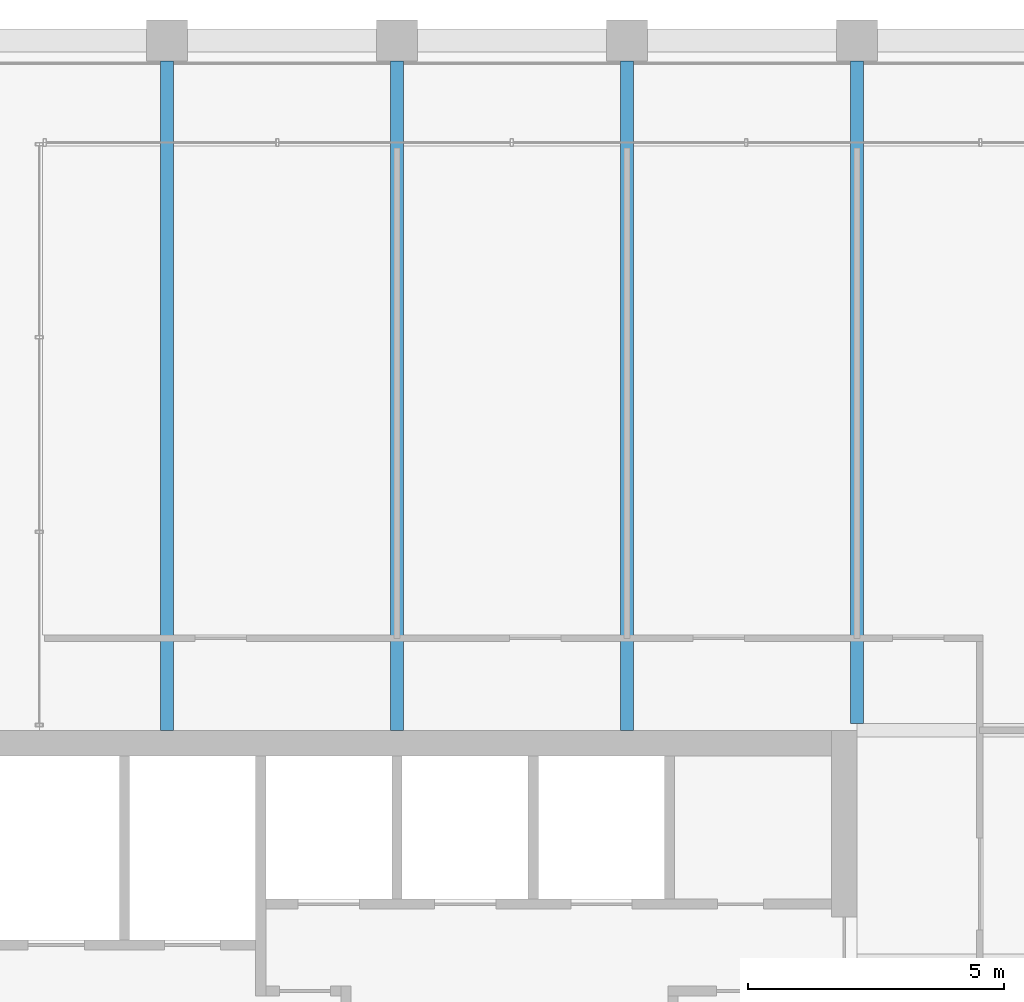
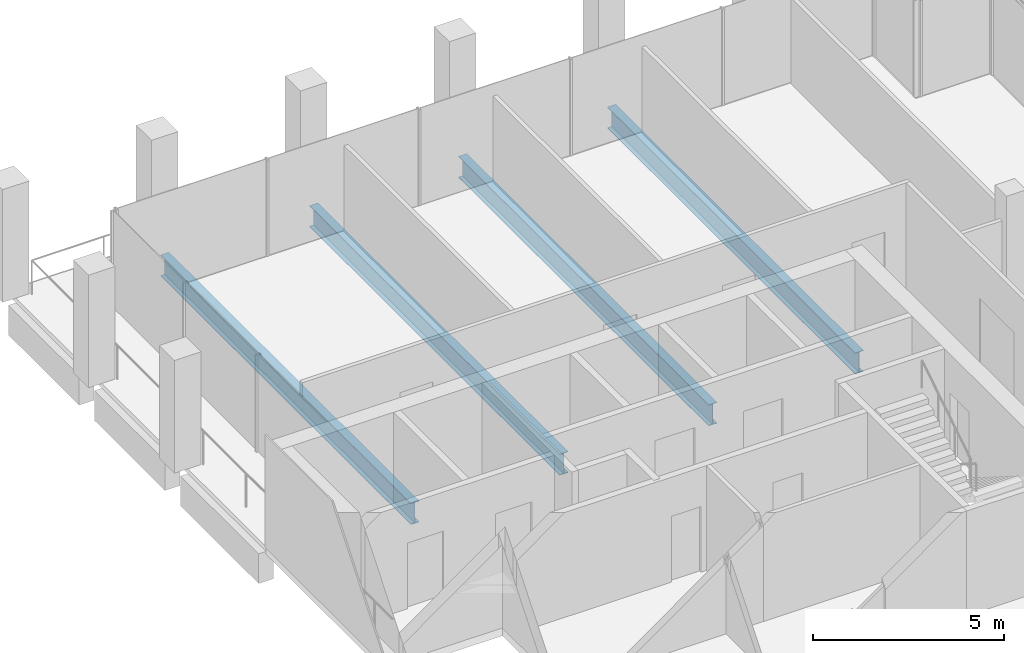
# One storey, part 22 of 30: 4 beams.
"""IFC4 building model written with IfcOpenShell, lengths in metres."""

import ifcopenshell
import ifcopenshell.guid

model = None  # the IFC model being written
_history = None  # IfcOwnerHistory: only IFC2X3 demands one
_inside = {}  # id of a spatial element -> (the spatial element, [elements in it])
_under = {}  # id of a project, library or spatial element -> (it, [spatial elements below it])
_declared = {}  # id of a project -> (the project, [libraries it declares])
_typed = {}  # id of a type object -> (the type object, [elements of that type])
_made_of = {}  # id of a material, layer set ... -> (it, [elements and type objects made of it])


def new_model(schema):
    """Start an empty IFC model of exactly this schema.

    Asked for "IFC4X3", IfcOpenShell would pick the latest addendum, in which some entities
    have other attributes; the version numbers below select the first issue.
    IFC2X3 requires an IfcOwnerHistory on every rooted entity: one is made here for all.
    """
    global model, _history
    if schema == "IFC4X3":
        model = ifcopenshell.file(schema_version=(4, 3, 0, 0))
    else:
        model = ifcopenshell.file(schema=schema)
    _inside.clear()
    _under.clear()
    _declared.clear()
    _typed.clear()
    _made_of.clear()
    _history = None
    if model.schema == "IFC2X3":
        org = make("IfcOrganization", Name="unknown")
        user = make(
            "IfcPersonAndOrganization",
            ThePerson=make("IfcPerson", FamilyName="unknown"),
            TheOrganization=org,
        )
        app = make(
            "IfcApplication",
            ApplicationDeveloper=org,
            Version="unknown",
            ApplicationFullName="unknown",
            ApplicationIdentifier="unknown",
        )
        _history = make(
            "IfcOwnerHistory",
            OwningUser=user,
            OwningApplication=app,
            ChangeAction="ADDED",
            CreationDate=0,
        )
    return model


def make(cls, **values):
    """One entity of the class cls with the attributes given. An attribute that is None is left unset."""
    return model.create_entity(
        cls, **{name: value for name, value in values.items() if value is not None}
    )


def rooted(cls, **values):
    """An entity with a GlobalId (a new one), such as an element, a storey or a relation."""
    return make(cls, GlobalId=ifcopenshell.guid.new(), OwnerHistory=_history, **values)


def si_unit(unit_type, name, prefix=None):
    """IfcSIUnit, for example si_unit("LENGTHUNIT", "METRE", prefix="MILLI")."""
    return make("IfcSIUnit", UnitType=unit_type, Prefix=prefix, Name=name)


def assignment(units):
    """IfcUnitAssignment: the units of a project."""
    return None if units is None else make("IfcUnitAssignment", Units=units)


def point(xyz):
    """IfcCartesianPoint."""
    return None if xyz is None else make("IfcCartesianPoint", Coordinates=xyz)


def direction(xyz):
    """IfcDirection."""
    return None if xyz is None else make("IfcDirection", DirectionRatios=xyz)


def frame(location, z_axis=None, x_axis=None):
    """IfcAxis2Placement3D, a coordinate frame: its origin and axes. An axis left out is left unset."""
    return make(
        "IfcAxis2Placement3D",
        Location=point(location),
        Axis=direction(z_axis),
        RefDirection=direction(x_axis),
    )


def frame_2d(location, x_axis=None):
    """IfcAxis2Placement2D, a coordinate frame in the plane: its origin and x axis."""
    return make(
        "IfcAxis2Placement2D", Location=point(location), RefDirection=direction(x_axis)
    )


def origin():
    """The frame at (0, 0, 0) with its axes left unset."""
    return frame((0.0, 0.0, 0.0))


def origin_2d():
    """The frame at (0, 0) in the plane with its x axis left unset."""
    return frame_2d((0.0, 0.0))


def place(relative_to, where):
    """IfcLocalPlacement: puts the frame where relative to a parent placement (None: the world)."""
    return make(
        "IfcLocalPlacement", PlacementRelTo=relative_to, RelativePlacement=where
    )


def context(
    kind, dimensions, precision=None, world=None, true_north=None, identifier=None
):
    """IfcGeometricRepresentationContext, for example the 3D "Model" context."""
    return make(
        "IfcGeometricRepresentationContext",
        ContextIdentifier=identifier,
        ContextType=kind,
        CoordinateSpaceDimension=dimensions,
        Precision=precision,
        WorldCoordinateSystem=world,
        TrueNorth=true_north,
    )


def subcontext(parent, identifier, kind, view, scale=None):
    """IfcGeometricRepresentationSubContext, for example "Body" below "Model"."""
    return make(
        "IfcGeometricRepresentationSubContext",
        ContextIdentifier=identifier,
        ContextType=kind,
        ParentContext=parent,
        TargetScale=scale,
        TargetView=view,
    )


def project(units=None, contexts=None):
    """IfcProject with its units and contexts."""
    return rooted(
        "IfcProject",
        Name="project",
        RepresentationContexts=contexts,
        UnitsInContext=assignment(units),
    )


def spatial(cls, under=None, at=None, **own):
    """A site, building, storey or space (cls), placed at a placement, below another one or the project."""
    s = rooted(cls, ObjectPlacement=at, **own)
    if under is not None:
        _under.setdefault(under.id(), (under, []))[1].append(s)
    return s


def profile(cls, at=None, kind="AREA", **sizes):
    """A parametric profile (cls). Its sizes go by their IFC names, for example OverallWidth=200.0."""
    return make(cls, ProfileType=kind, Position=at, **sizes)


def i_section(**sizes):
    """IfcIShapeProfileDef."""
    return profile("IfcIShapeProfileDef", **sizes)


def extrude(swept, where, along, depth):
    """IfcExtrudedAreaSolid: the profile swept, set in the frame where, extruded along a direction by depth."""
    return make(
        "IfcExtrudedAreaSolid",
        SweptArea=swept,
        Position=where,
        ExtrudedDirection=direction(along),
        Depth=depth,
    )


def shape(context_of_items, identifier, shape_type, items):
    """IfcShapeRepresentation: the items that make up one representation, for example the "Body"."""
    return make(
        "IfcShapeRepresentation",
        ContextOfItems=context_of_items,
        RepresentationIdentifier=identifier,
        RepresentationType=shape_type,
        Items=items,
    )


def material(Name=None, Category=None):
    """IfcMaterial."""
    return make("IfcMaterial", Name=Name, Category=Category)


def material_profile(
    of_material, cross_section, Name=None, Category=None, Priority=None
):
    """IfcMaterialProfile: a cross section and its material."""
    return make(
        "IfcMaterialProfile",
        Name=Name,
        Material=of_material,
        Profile=cross_section,
        Priority=Priority,
        Category=Category,
    )


def profile_set(profiles, Name=None, composite=None):
    """IfcMaterialProfileSet."""
    return make(
        "IfcMaterialProfileSet",
        Name=Name,
        MaterialProfiles=profiles,
        CompositeProfile=composite,
    )


def made_of(thing, what):
    """Note that an element or type object is made of a material, layer set ...; save() writes the relation."""
    if what is not None:
        _made_of.setdefault(what.id(), (what, []))[1].append(thing)
    return thing


def type_object(cls, material=None, **own):
    """A type object (cls), such as IfcWallType, which elements share."""
    return made_of(rooted(cls, **own), material)


def element(
    cls,
    number,
    at=None,
    inside=None,
    cuts=None,
    type_object=None,
    material=None,
    context=None,
    identifier="Body",
    shape_type=None,
    held_by="IfcProductDefinitionShape",
    body=None,
    shapes=None,
    **own,
):
    """One element of the class cls, such as IfcWall. Its Tag is "e" and its number.

    at: its placement. inside: the storey or other place that contains it. cuts: it is an
    opening in that element (IfcRelVoidsElement). A single representation is given by context,
    identifier, shape_type and body (its items); several are given by shapes. held_by: the class
    of the entity that holds the representations. save() writes the other relations.
    """
    e = rooted(cls, Tag="e%d" % number, ObjectPlacement=at, **own)
    if body is not None:
        shapes = [shape(context, identifier, shape_type, body)]
    if shapes is not None:
        e.Representation = make(held_by, Representations=shapes)
    if inside is not None:
        _inside.setdefault(inside.id(), (inside, []))[1].append(e)
    if cuts is not None:
        rooted(
            "IfcRelVoidsElement", RelatingBuildingElement=cuts, RelatedOpeningElement=e
        )
    if type_object is not None:
        _typed.setdefault(type_object.id(), (type_object, []))[1].append(e)
    return made_of(e, material)


def aggregate(whole, parts):
    """IfcRelAggregates: a whole, such as a stair, and the parts it consists of."""
    return rooted("IfcRelAggregates", RelatingObject=whole, RelatedObjects=parts)


def save(model, path):
    """Write the relations noted so far, then the file.

    IfcRelAggregates (storeys below a building ...), IfcRelContainedInSpatialStructure (elements
    in a storey), IfcRelDefinesByType, IfcRelAssociatesMaterial and IfcRelDeclares: one each for
    every whole, place, type object, material and project.
    """
    for whole, parts in _under.values():
        aggregate(whole, parts)
    for where, things in _inside.values():
        rooted(
            "IfcRelContainedInSpatialStructure",
            RelatedElements=things,
            RelatingStructure=where,
        )
    for kind, things in _typed.values():
        rooted("IfcRelDefinesByType", RelatedObjects=things, RelatingType=kind)
    for what, things in _made_of.values():
        rooted("IfcRelAssociatesMaterial", RelatedObjects=things, RelatingMaterial=what)
    for by, libraries in _declared.values():
        rooted("IfcRelDeclares", RelatingContext=by, RelatedDefinitions=libraries)
    model.write(path)


model = new_model("IFC4")

# Units and contexts
model_context = context("Model", 3, precision=1e-05, world=origin(), true_north=direction((0.0, 1.0)))
body_context = subcontext(model_context, "Body", "Model", "MODEL_VIEW")
ifc_project = project(units=[si_unit("LENGTHUNIT", "METRE"), si_unit("AREAUNIT", "SQUARE_METRE"), si_unit("VOLUMEUNIT", "CUBIC_METRE"), si_unit("PLANEANGLEUNIT", "RADIAN"), si_unit("MASSUNIT", "GRAM", prefix="KILO")], contexts=[model_context])

# Site, building, storey
site_placement = place(None, origin())
site = spatial("IfcSite", under=ifc_project, at=site_placement, CompositionType="ELEMENT")
building_placement = place(site_placement, origin())
building = spatial("IfcBuilding", under=site, at=building_placement, Name="Altepetl Exchange Towers", CompositionType="ELEMENT")
storey_placement = place(building_placement, frame((0.0, 0.0, 217.199951171875)))
storey = spatial("IfcBuildingStorey", under=building, at=storey_placement, Name="L55", CompositionType="ELEMENT", Elevation=217.199951171875)

# Beams
ifc_material = material(Name="Steel S355", Category="steel")
ifc_material_profile = material_profile(ifc_material, i_section(OverallWidth=0.2529296875, OverallDepth=0.677978515625, WebThickness=0.01171875, FlangeThickness=0.016357421875, at=origin_2d()), Name="W27X84")
ifc_profile_set = profile_set([ifc_material_profile], Name="Steel S355")
beam_type = type_object("IfcBeamType", Name="Floor beam W27X84", PredefinedType="BEAM", material=ifc_profile_set)
for number, where, z_axis, x_axis, name in (
    (1, (45.0, 58.5, -0.489013671875), (0.0, 1.0, 0.0), (-1.0, 0.0, 0.0), "bm:A:L55:000"),
    (2, (49.5, 58.5, -0.489013671875), (0.0, 1.0, 0.0), (-1.0, 0.0, 0.0), "bm:A:L55:001"),
    (3, (54.0, 58.5, -0.489013671875), (0.0, 1.0, 0.0), (-1.0, 0.0, 0.0), "bm:A:L55:002"),
):
    element("IfcBeam", number, at=place(storey_placement, frame(where, z_axis=z_axis, x_axis=x_axis)), inside=storey, type_object=beam_type, Name=name, PredefinedType="BEAM", context=body_context, shape_type="SweptSolid", body=[
        extrude(i_section(OverallWidth=0.2529296875, OverallDepth=0.677978515625, WebThickness=0.01171875, FlangeThickness=0.016357421875, at=origin_2d()), origin(), (0.0, 0.0, 1.0), 13.10009765625),
    ])
beam_placement = place(storey_placement, frame((58.5, 58.634033203125, -0.489013671875), z_axis=(0.0, 1.0, 0.0), x_axis=(-1.0, 0.0, 0.0)))
element("IfcBeam", 4, at=beam_placement, inside=storey, type_object=beam_type, Name="bm:A:L55:003", PredefinedType="BEAM", context=body_context, shape_type="SweptSolid", body=[
    extrude(i_section(OverallWidth=0.2529296875, OverallDepth=0.677978515625, WebThickness=0.01171875, FlangeThickness=0.016357421875, at=origin_2d()), origin(), (0.0, 0.0, 1.0), 12.966064453125),
])

save(model, "model.ifc")
